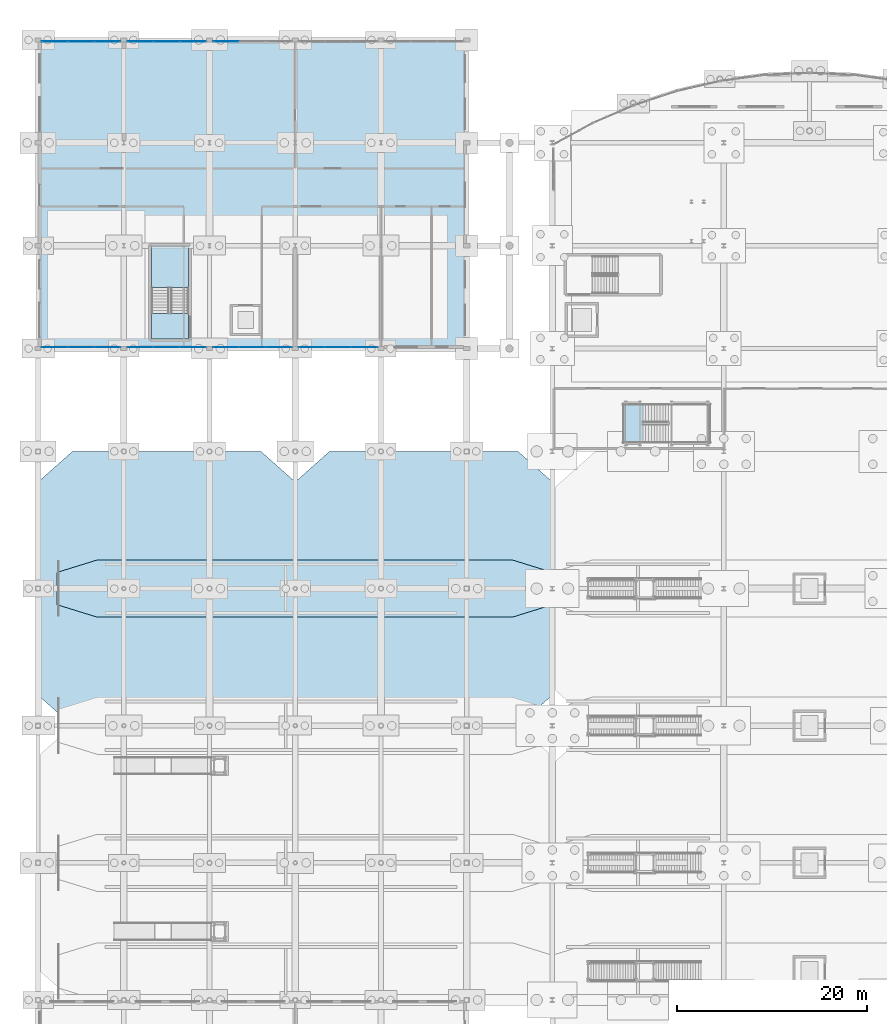
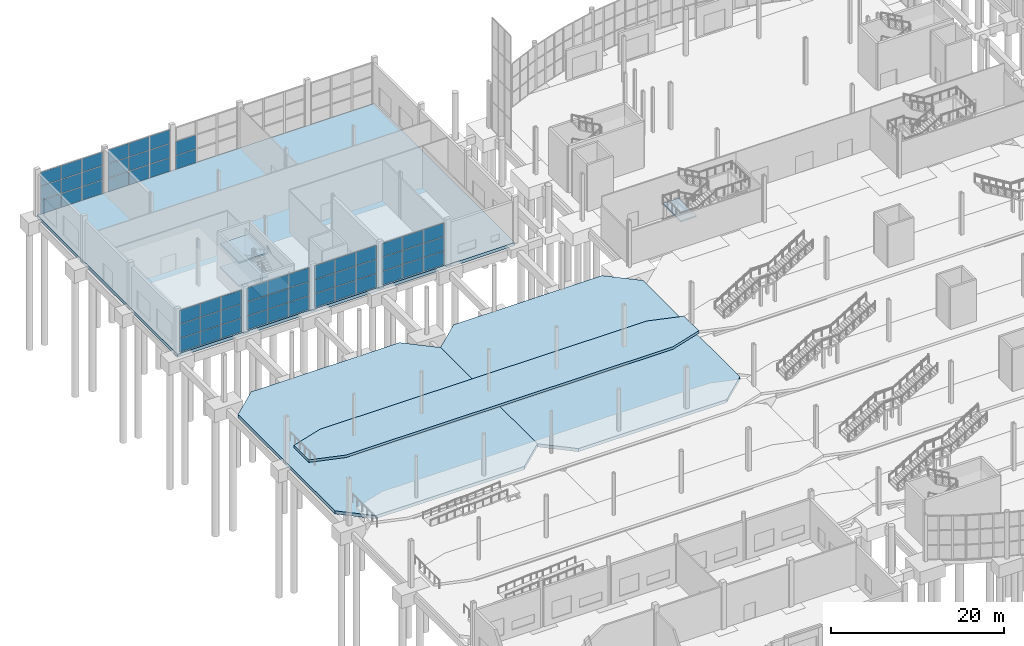
# One storey, part 79 of 115: 56 plates, 8 slabs, 9 elements without a shape of their own.
"""IFC4 building model written with IfcOpenShell, lengths in metres."""

from ifc_helpers import new_model, si_unit, direction, frame, origin, origin_2d, place, context, subcontext, project, spatial, polyline, rectangle, outline, extrude, material, layer, layer_set, type_object, element, aggregate, save


model = new_model("IFC4")

# Units and contexts
model_context = context("Model", 3, precision=1e-05, world=origin(), true_north=direction((0.0, 1.0)))
body_context = subcontext(model_context, "Body", "Model", "MODEL_VIEW")
ifc_project = project(units=[si_unit("LENGTHUNIT", "METRE"), si_unit("AREAUNIT", "SQUARE_METRE"), si_unit("VOLUMEUNIT", "CUBIC_METRE"), si_unit("PLANEANGLEUNIT", "RADIAN"), si_unit("MASSUNIT", "GRAM", prefix="KILO")], contexts=[model_context])

# Site, building, storey
site_placement = place(None, origin())
site = spatial("IfcSite", under=ifc_project, at=site_placement, CompositionType="ELEMENT")
building_placement = place(site_placement, origin())
building = spatial("IfcBuilding", under=site, at=building_placement, Name="Tamarisk Ironworks Central Station", CompositionType="ELEMENT")
storey_placement = place(building_placement, origin())
storey = spatial("IfcBuildingStorey", under=building, at=storey_placement, Name="L00", CompositionType="ELEMENT", Elevation=0.0)

# Curtain wall, plates
ifc_material_1 = material(Name="Anodized aluminium alloy 6063-T6", Category="aluminium")
ifc_layer_1 = layer(ifc_material_1, 0.179931640625)
ifc_layer_set_1 = layer_set([ifc_layer_1], Name="Anodized aluminium alloy 6063-T6")
curtain_wall_type_1 = type_object("IfcCurtainWallType", Name="CW-12", PredefinedType="USERDEFINED", material=ifc_layer_set_1)
curtain_wall_1_placement = place(storey_placement, origin())
curtain_wall_1 = element("IfcCurtainWall", 1, at=curtain_wall_1_placement, inside=storey, type_object=curtain_wall_type_1, Name="Pavilion L00 N glazed arcade 00", ObjectType="GLAZED CURTAIN WALL", PredefinedType="USERDEFINED")
ifc_layer_2 = layer(ifc_material_1, 0.02392578125)
ifc_layer_set_2 = layer_set([ifc_layer_2], Name="Anodized aluminium alloy 6063-T6")
plate_type_1 = type_object("IfcPlateType", Name="PL-CWP24", PredefinedType="CURTAIN_PANEL", material=ifc_layer_set_2)
plate_1_placement = place(storey_placement, frame((1.734130859375, 122.25, 0.069091796875), z_axis=(0.0, 0.0, 1.0), x_axis=(1.0, 0.0, 0.0)))
plate_1 = element("IfcPlate", 2, at=plate_1_placement, type_object=plate_type_1, Name="CW12 panel 1.1", PredefinedType="CURTAIN_PANEL", context=body_context, shape_type="SweptSolid", body=[
    extrude(rectangle(XDim=2.68408203125, YDim=0.02392578125, at=origin_2d()), origin(), (0.0, 0.0, 1.0), 1.90625),
])
plate_2_placement = place(storey_placement, frame((1.734130859375, 122.25, 2.0380859375), z_axis=(0.0, 0.0, 1.0), x_axis=(1.0, 0.0, 0.0)))
plate_2 = element("IfcPlate", 3, at=plate_2_placement, type_object=plate_type_1, Name="CW12 panel 1.2", PredefinedType="CURTAIN_PANEL", context=body_context, shape_type="SweptSolid", body=[
    extrude(rectangle(XDim=2.68408203125, YDim=0.02392578125, at=origin_2d()), origin(), (0.0, 0.0, 1.0), 1.943603515625),
])
plate_3_placement = place(storey_placement, frame((1.734130859375, 122.25, 4.044677734375), z_axis=(0.0, 0.0, 1.0), x_axis=(1.0, 0.0, 0.0)))
plate_3 = element("IfcPlate", 4, at=plate_3_placement, type_object=plate_type_1, Name="CW12 panel 1.3", PredefinedType="CURTAIN_PANEL", context=body_context, shape_type="SweptSolid", body=[
    extrude(rectangle(XDim=2.68408203125, YDim=0.02392578125, at=origin_2d()), origin(), (0.0, 0.0, 1.0), 1.90625),
])
plate_4_placement = place(storey_placement, frame((4.5, 122.25, 0.069091796875), z_axis=(0.0, 0.0, 1.0), x_axis=(1.0, 0.0, 0.0)))
plate_4 = element("IfcPlate", 5, at=plate_4_placement, type_object=plate_type_1, Name="CW12 panel 2.1", PredefinedType="CURTAIN_PANEL", context=body_context, shape_type="SweptSolid", body=[
    extrude(rectangle(XDim=2.7216796875, YDim=0.02392578125, at=origin_2d()), origin(), (0.0, 0.0, 1.0), 1.90625),
])
plate_5_placement = place(storey_placement, frame((4.5, 122.25, 2.0380859375), z_axis=(0.0, 0.0, 1.0), x_axis=(1.0, 0.0, 0.0)))
plate_5 = element("IfcPlate", 6, at=plate_5_placement, type_object=plate_type_1, Name="CW12 panel 2.2", PredefinedType="CURTAIN_PANEL", context=body_context, shape_type="SweptSolid", body=[
    extrude(rectangle(XDim=2.7216796875, YDim=0.02392578125, at=origin_2d()), origin(), (0.0, 0.0, 1.0), 1.943603515625),
])
plate_6_placement = place(storey_placement, frame((4.5, 122.25, 4.044677734375), z_axis=(0.0, 0.0, 1.0), x_axis=(1.0, 0.0, 0.0)))
plate_6 = element("IfcPlate", 7, at=plate_6_placement, type_object=plate_type_1, Name="CW12 panel 2.3", PredefinedType="CURTAIN_PANEL", context=body_context, shape_type="SweptSolid", body=[
    extrude(rectangle(XDim=2.7216796875, YDim=0.02392578125, at=origin_2d()), origin(), (0.0, 0.0, 1.0), 1.90625),
])
plate_7_placement = place(storey_placement, frame((7.265869140625, 122.25, 0.069091796875), z_axis=(0.0, 0.0, 1.0), x_axis=(1.0, 0.0, 0.0)))
plate_7 = element("IfcPlate", 8, at=plate_7_placement, type_object=plate_type_1, Name="CW12 panel 3.1", PredefinedType="CURTAIN_PANEL", context=body_context, shape_type="SweptSolid", body=[
    extrude(rectangle(XDim=2.68408203125, YDim=0.02392578125, at=origin_2d()), origin(), (0.0, 0.0, 1.0), 1.90625),
])
plate_8_placement = place(storey_placement, frame((7.265869140625, 122.25, 2.0380859375), z_axis=(0.0, 0.0, 1.0), x_axis=(1.0, 0.0, 0.0)))
plate_8 = element("IfcPlate", 9, at=plate_8_placement, type_object=plate_type_1, Name="CW12 panel 3.2", PredefinedType="CURTAIN_PANEL", context=body_context, shape_type="SweptSolid", body=[
    extrude(rectangle(XDim=2.68408203125, YDim=0.02392578125, at=origin_2d()), origin(), (0.0, 0.0, 1.0), 1.943603515625),
])
plate_9_placement = place(storey_placement, frame((7.265869140625, 122.25, 4.044677734375), z_axis=(0.0, 0.0, 1.0), x_axis=(1.0, 0.0, 0.0)))
plate_9 = element("IfcPlate", 10, at=plate_9_placement, type_object=plate_type_1, Name="CW12 panel 3.3", PredefinedType="CURTAIN_PANEL", context=body_context, shape_type="SweptSolid", body=[
    extrude(rectangle(XDim=2.68408203125, YDim=0.02392578125, at=origin_2d()), origin(), (0.0, 0.0, 1.0), 1.90625),
])
aggregate(curtain_wall_1, [plate_1, plate_2, plate_3, plate_4, plate_5, plate_6, plate_7, plate_8, plate_9])

curtain_wall_2_placement = place(storey_placement, origin())
curtain_wall_2 = element("IfcCurtainWall", 11, at=curtain_wall_2_placement, inside=storey, type_object=curtain_wall_type_1, Name="Pavilion L00 N glazed arcade 09", ObjectType="GLAZED CURTAIN WALL", PredefinedType="USERDEFINED")
plate_10_placement = place(storey_placement, frame((10.734130859375, 122.25, 0.069091796875), z_axis=(0.0, 0.0, 1.0), x_axis=(1.0, 0.0, 0.0)))
plate_10 = element("IfcPlate", 12, at=plate_10_placement, type_object=plate_type_1, Name="CW12 panel 1.1", PredefinedType="CURTAIN_PANEL", context=body_context, shape_type="SweptSolid", body=[
    extrude(rectangle(XDim=2.68408203125, YDim=0.02392578125, at=origin_2d()), origin(), (0.0, 0.0, 1.0), 1.90625),
])
plate_11_placement = place(storey_placement, frame((10.734130859375, 122.25, 2.0380859375), z_axis=(0.0, 0.0, 1.0), x_axis=(1.0, 0.0, 0.0)))
plate_11 = element("IfcPlate", 13, at=plate_11_placement, type_object=plate_type_1, Name="CW12 panel 1.2", PredefinedType="CURTAIN_PANEL", context=body_context, shape_type="SweptSolid", body=[
    extrude(rectangle(XDim=2.68408203125, YDim=0.02392578125, at=origin_2d()), origin(), (0.0, 0.0, 1.0), 1.943603515625),
])
plate_12_placement = place(storey_placement, frame((10.734130859375, 122.25, 4.044677734375), z_axis=(0.0, 0.0, 1.0), x_axis=(1.0, 0.0, 0.0)))
plate_12 = element("IfcPlate", 14, at=plate_12_placement, type_object=plate_type_1, Name="CW12 panel 1.3", PredefinedType="CURTAIN_PANEL", context=body_context, shape_type="SweptSolid", body=[
    extrude(rectangle(XDim=2.68408203125, YDim=0.02392578125, at=origin_2d()), origin(), (0.0, 0.0, 1.0), 1.90625),
])
plate_13_placement = place(storey_placement, frame((13.5, 122.25, 0.069091796875), z_axis=(0.0, 0.0, 1.0), x_axis=(1.0, 0.0, 0.0)))
plate_13 = element("IfcPlate", 15, at=plate_13_placement, type_object=plate_type_1, Name="CW12 panel 2.1", PredefinedType="CURTAIN_PANEL", context=body_context, shape_type="SweptSolid", body=[
    extrude(rectangle(XDim=2.7216796875, YDim=0.02392578125, at=origin_2d()), origin(), (0.0, 0.0, 1.0), 1.90625),
])
plate_14_placement = place(storey_placement, frame((13.5, 122.25, 2.0380859375), z_axis=(0.0, 0.0, 1.0), x_axis=(1.0, 0.0, 0.0)))
plate_14 = element("IfcPlate", 16, at=plate_14_placement, type_object=plate_type_1, Name="CW12 panel 2.2", PredefinedType="CURTAIN_PANEL", context=body_context, shape_type="SweptSolid", body=[
    extrude(rectangle(XDim=2.7216796875, YDim=0.02392578125, at=origin_2d()), origin(), (0.0, 0.0, 1.0), 1.943603515625),
])
plate_15_placement = place(storey_placement, frame((13.5, 122.25, 4.044677734375), z_axis=(0.0, 0.0, 1.0), x_axis=(1.0, 0.0, 0.0)))
plate_15 = element("IfcPlate", 17, at=plate_15_placement, type_object=plate_type_1, Name="CW12 panel 2.3", PredefinedType="CURTAIN_PANEL", context=body_context, shape_type="SweptSolid", body=[
    extrude(rectangle(XDim=2.7216796875, YDim=0.02392578125, at=origin_2d()), origin(), (0.0, 0.0, 1.0), 1.90625),
])
plate_16_placement = place(storey_placement, frame((16.265869140625, 122.25, 0.069091796875), z_axis=(0.0, 0.0, 1.0), x_axis=(1.0, 0.0, 0.0)))
plate_16 = element("IfcPlate", 18, at=plate_16_placement, type_object=plate_type_1, Name="CW12 panel 3.1", PredefinedType="CURTAIN_PANEL", context=body_context, shape_type="SweptSolid", body=[
    extrude(rectangle(XDim=2.68408203125, YDim=0.02392578125, at=origin_2d()), origin(), (0.0, 0.0, 1.0), 1.90625),
])
plate_17_placement = place(storey_placement, frame((16.265869140625, 122.25, 2.0380859375), z_axis=(0.0, 0.0, 1.0), x_axis=(1.0, 0.0, 0.0)))
plate_17 = element("IfcPlate", 19, at=plate_17_placement, type_object=plate_type_1, Name="CW12 panel 3.2", PredefinedType="CURTAIN_PANEL", context=body_context, shape_type="SweptSolid", body=[
    extrude(rectangle(XDim=2.68408203125, YDim=0.02392578125, at=origin_2d()), origin(), (0.0, 0.0, 1.0), 1.943603515625),
])
plate_18_placement = place(storey_placement, frame((16.265869140625, 122.25, 4.044677734375), z_axis=(0.0, 0.0, 1.0), x_axis=(1.0, 0.0, 0.0)))
plate_18 = element("IfcPlate", 20, at=plate_18_placement, type_object=plate_type_1, Name="CW12 panel 3.3", PredefinedType="CURTAIN_PANEL", context=body_context, shape_type="SweptSolid", body=[
    extrude(rectangle(XDim=2.68408203125, YDim=0.02392578125, at=origin_2d()), origin(), (0.0, 0.0, 1.0), 1.90625),
])
aggregate(curtain_wall_2, [plate_10, plate_11, plate_12, plate_13, plate_14, plate_15, plate_16, plate_17, plate_18])

curtain_wall_3_placement = place(storey_placement, origin())
curtain_wall_3 = element("IfcCurtainWall", 21, at=curtain_wall_3_placement, inside=storey, type_object=curtain_wall_type_1, Name="Pavilion L00 N glazed arcade 18", ObjectType="GLAZED CURTAIN WALL", PredefinedType="USERDEFINED")
plate_19_placement = place(storey_placement, frame((19.734130859375, 122.25, 0.069091796875), z_axis=(0.0, 0.0, 1.0), x_axis=(1.0, 0.0, 0.0)))
plate_19 = element("IfcPlate", 22, at=plate_19_placement, type_object=plate_type_1, Name="CW12 panel 1.1", PredefinedType="CURTAIN_PANEL", context=body_context, shape_type="SweptSolid", body=[
    extrude(rectangle(XDim=2.68408203125, YDim=0.02392578125, at=origin_2d()), origin(), (0.0, 0.0, 1.0), 1.90625),
])
plate_20_placement = place(storey_placement, frame((19.734130859375, 122.25, 2.0380859375), z_axis=(0.0, 0.0, 1.0), x_axis=(1.0, 0.0, 0.0)))
plate_20 = element("IfcPlate", 23, at=plate_20_placement, type_object=plate_type_1, Name="CW12 panel 1.2", PredefinedType="CURTAIN_PANEL", context=body_context, shape_type="SweptSolid", body=[
    extrude(rectangle(XDim=2.68408203125, YDim=0.02392578125, at=origin_2d()), origin(), (0.0, 0.0, 1.0), 1.943603515625),
])
aggregate(curtain_wall_3, [plate_19, plate_20])

ifc_layer_3 = layer(ifc_material_1, 0.179931640625)
ifc_layer_set_3 = layer_set([ifc_layer_3], Name="Anodized aluminium alloy 6063-T6")
curtain_wall_type_2 = type_object("IfcCurtainWallType", Name="CW-09", PredefinedType="USERDEFINED", material=ifc_layer_set_3)
curtain_wall_4_placement = place(storey_placement, origin())
curtain_wall_4 = element("IfcCurtainWall", 24, at=curtain_wall_4_placement, inside=storey, type_object=curtain_wall_type_2, Name="Pavilion L00 S glazed arcade 00", ObjectType="GLAZED CURTAIN WALL", PredefinedType="USERDEFINED")
ifc_material_2 = material(Name="Laminated solar-control low-E glass", Category="glass")
ifc_layer_4 = layer(ifc_material_2, 0.028076171875)
ifc_layer_set_4 = layer_set([ifc_layer_4], Name="Laminated solar-control low-E glass")
plate_type_2 = type_object("IfcPlateType", Name="PL-CWP28", PredefinedType="CURTAIN_PANEL", material=ifc_layer_set_4)
plate_21_placement = place(storey_placement, frame((1.734130859375, 90.14990234375, 0.069091796875), z_axis=(0.0, 0.0, 1.0), x_axis=(1.0, 0.0, 0.0)))
plate_21 = element("IfcPlate", 25, at=plate_21_placement, type_object=plate_type_2, Name="CW09 panel 1.1", PredefinedType="CURTAIN_PANEL", context=body_context, shape_type="SweptSolid", body=[
    extrude(rectangle(XDim=2.68408203125, YDim=0.028076171875, at=origin_2d()), origin(), (0.0, 0.0, 1.0), 1.90625),
])
plate_22_placement = place(storey_placement, frame((1.734130859375, 90.14990234375, 2.0380859375), z_axis=(0.0, 0.0, 1.0), x_axis=(1.0, 0.0, 0.0)))
plate_22 = element("IfcPlate", 26, at=plate_22_placement, type_object=plate_type_2, Name="CW09 panel 1.2", PredefinedType="CURTAIN_PANEL", context=body_context, shape_type="SweptSolid", body=[
    extrude(rectangle(XDim=2.68408203125, YDim=0.028076171875, at=origin_2d()), origin(), (0.0, 0.0, 1.0), 1.943603515625),
])
plate_23_placement = place(storey_placement, frame((1.734130859375, 90.14990234375, 4.044677734375), z_axis=(0.0, 0.0, 1.0), x_axis=(1.0, 0.0, 0.0)))
plate_23 = element("IfcPlate", 27, at=plate_23_placement, type_object=plate_type_2, Name="CW09 panel 1.3", PredefinedType="CURTAIN_PANEL", context=body_context, shape_type="SweptSolid", body=[
    extrude(rectangle(XDim=2.68408203125, YDim=0.028076171875, at=origin_2d()), origin(), (0.0, 0.0, 1.0), 1.90625),
])
plate_24_placement = place(storey_placement, frame((4.5, 90.14990234375, 0.069091796875), z_axis=(0.0, 0.0, 1.0), x_axis=(1.0, 0.0, 0.0)))
plate_24 = element("IfcPlate", 28, at=plate_24_placement, type_object=plate_type_2, Name="CW09 panel 2.1", PredefinedType="CURTAIN_PANEL", context=body_context, shape_type="SweptSolid", body=[
    extrude(rectangle(XDim=2.7216796875, YDim=0.028076171875, at=origin_2d()), origin(), (0.0, 0.0, 1.0), 1.90625),
])
plate_25_placement = place(storey_placement, frame((4.5, 90.14990234375, 2.0380859375), z_axis=(0.0, 0.0, 1.0), x_axis=(1.0, 0.0, 0.0)))
plate_25 = element("IfcPlate", 29, at=plate_25_placement, type_object=plate_type_2, Name="CW09 panel 2.2", PredefinedType="CURTAIN_PANEL", context=body_context, shape_type="SweptSolid", body=[
    extrude(rectangle(XDim=2.7216796875, YDim=0.028076171875, at=origin_2d()), origin(), (0.0, 0.0, 1.0), 1.943603515625),
])
plate_26_placement = place(storey_placement, frame((4.5, 90.14990234375, 4.044677734375), z_axis=(0.0, 0.0, 1.0), x_axis=(1.0, 0.0, 0.0)))
plate_26 = element("IfcPlate", 30, at=plate_26_placement, type_object=plate_type_2, Name="CW09 panel 2.3", PredefinedType="CURTAIN_PANEL", context=body_context, shape_type="SweptSolid", body=[
    extrude(rectangle(XDim=2.7216796875, YDim=0.028076171875, at=origin_2d()), origin(), (0.0, 0.0, 1.0), 1.90625),
])
plate_27_placement = place(storey_placement, frame((7.265869140625, 90.14990234375, 0.069091796875), z_axis=(0.0, 0.0, 1.0), x_axis=(1.0, 0.0, 0.0)))
plate_27 = element("IfcPlate", 31, at=plate_27_placement, type_object=plate_type_2, Name="CW09 panel 3.1", PredefinedType="CURTAIN_PANEL", context=body_context, shape_type="SweptSolid", body=[
    extrude(rectangle(XDim=2.68408203125, YDim=0.028076171875, at=origin_2d()), origin(), (0.0, 0.0, 1.0), 1.90625),
])
plate_28_placement = place(storey_placement, frame((7.265869140625, 90.14990234375, 2.0380859375), z_axis=(0.0, 0.0, 1.0), x_axis=(1.0, 0.0, 0.0)))
plate_28 = element("IfcPlate", 32, at=plate_28_placement, type_object=plate_type_2, Name="CW09 panel 3.2", PredefinedType="CURTAIN_PANEL", context=body_context, shape_type="SweptSolid", body=[
    extrude(rectangle(XDim=2.68408203125, YDim=0.028076171875, at=origin_2d()), origin(), (0.0, 0.0, 1.0), 1.943603515625),
])
plate_29_placement = place(storey_placement, frame((7.265869140625, 90.14990234375, 4.044677734375), z_axis=(0.0, 0.0, 1.0), x_axis=(1.0, 0.0, 0.0)))
plate_29 = element("IfcPlate", 33, at=plate_29_placement, type_object=plate_type_2, Name="CW09 panel 3.3", PredefinedType="CURTAIN_PANEL", context=body_context, shape_type="SweptSolid", body=[
    extrude(rectangle(XDim=2.68408203125, YDim=0.028076171875, at=origin_2d()), origin(), (0.0, 0.0, 1.0), 1.90625),
])
aggregate(curtain_wall_4, [plate_21, plate_22, plate_23, plate_24, plate_25, plate_26, plate_27, plate_28, plate_29])

curtain_wall_5_placement = place(storey_placement, origin())
curtain_wall_5 = element("IfcCurtainWall", 34, at=curtain_wall_5_placement, inside=storey, type_object=curtain_wall_type_2, Name="Pavilion L00 S glazed arcade 09", ObjectType="GLAZED CURTAIN WALL", PredefinedType="USERDEFINED")
plate_30_placement = place(storey_placement, frame((10.734130859375, 90.14990234375, 0.069091796875), z_axis=(0.0, 0.0, 1.0), x_axis=(1.0, 0.0, 0.0)))
plate_30 = element("IfcPlate", 35, at=plate_30_placement, type_object=plate_type_2, Name="CW09 panel 1.1", PredefinedType="CURTAIN_PANEL", context=body_context, shape_type="SweptSolid", body=[
    extrude(rectangle(XDim=2.68408203125, YDim=0.028076171875, at=origin_2d()), origin(), (0.0, 0.0, 1.0), 1.90625),
])
plate_31_placement = place(storey_placement, frame((10.734130859375, 90.14990234375, 2.0380859375), z_axis=(0.0, 0.0, 1.0), x_axis=(1.0, 0.0, 0.0)))
plate_31 = element("IfcPlate", 36, at=plate_31_placement, type_object=plate_type_2, Name="CW09 panel 1.2", PredefinedType="CURTAIN_PANEL", context=body_context, shape_type="SweptSolid", body=[
    extrude(rectangle(XDim=2.68408203125, YDim=0.028076171875, at=origin_2d()), origin(), (0.0, 0.0, 1.0), 1.943603515625),
])
plate_32_placement = place(storey_placement, frame((10.734130859375, 90.14990234375, 4.044677734375), z_axis=(0.0, 0.0, 1.0), x_axis=(1.0, 0.0, 0.0)))
plate_32 = element("IfcPlate", 37, at=plate_32_placement, type_object=plate_type_2, Name="CW09 panel 1.3", PredefinedType="CURTAIN_PANEL", context=body_context, shape_type="SweptSolid", body=[
    extrude(rectangle(XDim=2.68408203125, YDim=0.028076171875, at=origin_2d()), origin(), (0.0, 0.0, 1.0), 1.90625),
])
plate_33_placement = place(storey_placement, frame((13.5, 90.14990234375, 0.069091796875), z_axis=(0.0, 0.0, 1.0), x_axis=(1.0, 0.0, 0.0)))
plate_33 = element("IfcPlate", 38, at=plate_33_placement, type_object=plate_type_2, Name="CW09 panel 2.1", PredefinedType="CURTAIN_PANEL", context=body_context, shape_type="SweptSolid", body=[
    extrude(rectangle(XDim=2.7216796875, YDim=0.028076171875, at=origin_2d()), origin(), (0.0, 0.0, 1.0), 1.90625),
])
plate_34_placement = place(storey_placement, frame((13.5, 90.14990234375, 2.0380859375), z_axis=(0.0, 0.0, 1.0), x_axis=(1.0, 0.0, 0.0)))
plate_34 = element("IfcPlate", 39, at=plate_34_placement, type_object=plate_type_2, Name="CW09 panel 2.2", PredefinedType="CURTAIN_PANEL", context=body_context, shape_type="SweptSolid", body=[
    extrude(rectangle(XDim=2.7216796875, YDim=0.028076171875, at=origin_2d()), origin(), (0.0, 0.0, 1.0), 1.943603515625),
])
plate_35_placement = place(storey_placement, frame((13.5, 90.14990234375, 4.044677734375), z_axis=(0.0, 0.0, 1.0), x_axis=(1.0, 0.0, 0.0)))
plate_35 = element("IfcPlate", 40, at=plate_35_placement, type_object=plate_type_2, Name="CW09 panel 2.3", PredefinedType="CURTAIN_PANEL", context=body_context, shape_type="SweptSolid", body=[
    extrude(rectangle(XDim=2.7216796875, YDim=0.028076171875, at=origin_2d()), origin(), (0.0, 0.0, 1.0), 1.90625),
])
plate_36_placement = place(storey_placement, frame((16.265869140625, 90.14990234375, 0.069091796875), z_axis=(0.0, 0.0, 1.0), x_axis=(1.0, 0.0, 0.0)))
plate_36 = element("IfcPlate", 41, at=plate_36_placement, type_object=plate_type_2, Name="CW09 panel 3.1", PredefinedType="CURTAIN_PANEL", context=body_context, shape_type="SweptSolid", body=[
    extrude(rectangle(XDim=2.68408203125, YDim=0.028076171875, at=origin_2d()), origin(), (0.0, 0.0, 1.0), 1.90625),
])
plate_37_placement = place(storey_placement, frame((16.265869140625, 90.14990234375, 2.0380859375), z_axis=(0.0, 0.0, 1.0), x_axis=(1.0, 0.0, 0.0)))
plate_37 = element("IfcPlate", 42, at=plate_37_placement, type_object=plate_type_2, Name="CW09 panel 3.2", PredefinedType="CURTAIN_PANEL", context=body_context, shape_type="SweptSolid", body=[
    extrude(rectangle(XDim=2.68408203125, YDim=0.028076171875, at=origin_2d()), origin(), (0.0, 0.0, 1.0), 1.943603515625),
])
plate_38_placement = place(storey_placement, frame((16.265869140625, 90.14990234375, 4.044677734375), z_axis=(0.0, 0.0, 1.0), x_axis=(1.0, 0.0, 0.0)))
plate_38 = element("IfcPlate", 43, at=plate_38_placement, type_object=plate_type_2, Name="CW09 panel 3.3", PredefinedType="CURTAIN_PANEL", context=body_context, shape_type="SweptSolid", body=[
    extrude(rectangle(XDim=2.68408203125, YDim=0.028076171875, at=origin_2d()), origin(), (0.0, 0.0, 1.0), 1.90625),
])
aggregate(curtain_wall_5, [plate_30, plate_31, plate_32, plate_33, plate_34, plate_35, plate_36, plate_37, plate_38])

curtain_wall_6_placement = place(storey_placement, origin())
curtain_wall_6 = element("IfcCurtainWall", 44, at=curtain_wall_6_placement, inside=storey, type_object=curtain_wall_type_2, Name="Pavilion L00 S glazed arcade 18", ObjectType="GLAZED CURTAIN WALL", PredefinedType="USERDEFINED")
plate_39_placement = place(storey_placement, frame((19.734130859375, 90.14990234375, 0.069091796875), z_axis=(0.0, 0.0, 1.0), x_axis=(1.0, 0.0, 0.0)))
plate_39 = element("IfcPlate", 45, at=plate_39_placement, type_object=plate_type_2, Name="CW09 panel 1.1", PredefinedType="CURTAIN_PANEL", context=body_context, shape_type="SweptSolid", body=[
    extrude(rectangle(XDim=2.68408203125, YDim=0.028076171875, at=origin_2d()), origin(), (0.0, 0.0, 1.0), 1.90625),
])
plate_40_placement = place(storey_placement, frame((19.734130859375, 90.14990234375, 2.0380859375), z_axis=(0.0, 0.0, 1.0), x_axis=(1.0, 0.0, 0.0)))
plate_40 = element("IfcPlate", 46, at=plate_40_placement, type_object=plate_type_2, Name="CW09 panel 1.2", PredefinedType="CURTAIN_PANEL", context=body_context, shape_type="SweptSolid", body=[
    extrude(rectangle(XDim=2.68408203125, YDim=0.028076171875, at=origin_2d()), origin(), (0.0, 0.0, 1.0), 1.943603515625),
])
plate_41_placement = place(storey_placement, frame((19.734130859375, 90.14990234375, 4.044677734375), z_axis=(0.0, 0.0, 1.0), x_axis=(1.0, 0.0, 0.0)))
plate_41 = element("IfcPlate", 47, at=plate_41_placement, type_object=plate_type_2, Name="CW09 panel 1.3", PredefinedType="CURTAIN_PANEL", context=body_context, shape_type="SweptSolid", body=[
    extrude(rectangle(XDim=2.68408203125, YDim=0.028076171875, at=origin_2d()), origin(), (0.0, 0.0, 1.0), 1.90625),
])
plate_42_placement = place(storey_placement, frame((22.5, 90.14990234375, 0.069091796875), z_axis=(0.0, 0.0, 1.0), x_axis=(1.0, 0.0, 0.0)))
plate_42 = element("IfcPlate", 48, at=plate_42_placement, type_object=plate_type_2, Name="CW09 panel 2.1", PredefinedType="CURTAIN_PANEL", context=body_context, shape_type="SweptSolid", body=[
    extrude(rectangle(XDim=2.7216796875, YDim=0.028076171875, at=origin_2d()), origin(), (0.0, 0.0, 1.0), 1.90625),
])
plate_43_placement = place(storey_placement, frame((22.5, 90.14990234375, 2.0380859375), z_axis=(0.0, 0.0, 1.0), x_axis=(1.0, 0.0, 0.0)))
plate_43 = element("IfcPlate", 49, at=plate_43_placement, type_object=plate_type_2, Name="CW09 panel 2.2", PredefinedType="CURTAIN_PANEL", context=body_context, shape_type="SweptSolid", body=[
    extrude(rectangle(XDim=2.7216796875, YDim=0.028076171875, at=origin_2d()), origin(), (0.0, 0.0, 1.0), 1.943603515625),
])
plate_44_placement = place(storey_placement, frame((22.5, 90.14990234375, 4.044677734375), z_axis=(0.0, 0.0, 1.0), x_axis=(1.0, 0.0, 0.0)))
plate_44 = element("IfcPlate", 50, at=plate_44_placement, type_object=plate_type_2, Name="CW09 panel 2.3", PredefinedType="CURTAIN_PANEL", context=body_context, shape_type="SweptSolid", body=[
    extrude(rectangle(XDim=2.7216796875, YDim=0.028076171875, at=origin_2d()), origin(), (0.0, 0.0, 1.0), 1.90625),
])
plate_45_placement = place(storey_placement, frame((25.265869140625, 90.14990234375, 0.069091796875), z_axis=(0.0, 0.0, 1.0), x_axis=(1.0, 0.0, 0.0)))
plate_45 = element("IfcPlate", 51, at=plate_45_placement, type_object=plate_type_2, Name="CW09 panel 3.1", PredefinedType="CURTAIN_PANEL", context=body_context, shape_type="SweptSolid", body=[
    extrude(rectangle(XDim=2.68408203125, YDim=0.028076171875, at=origin_2d()), origin(), (0.0, 0.0, 1.0), 1.90625),
])
plate_46_placement = place(storey_placement, frame((25.265869140625, 90.14990234375, 2.0380859375), z_axis=(0.0, 0.0, 1.0), x_axis=(1.0, 0.0, 0.0)))
plate_46 = element("IfcPlate", 52, at=plate_46_placement, type_object=plate_type_2, Name="CW09 panel 3.2", PredefinedType="CURTAIN_PANEL", context=body_context, shape_type="SweptSolid", body=[
    extrude(rectangle(XDim=2.68408203125, YDim=0.028076171875, at=origin_2d()), origin(), (0.0, 0.0, 1.0), 1.943603515625),
])
plate_47_placement = place(storey_placement, frame((25.265869140625, 90.14990234375, 4.044677734375), z_axis=(0.0, 0.0, 1.0), x_axis=(1.0, 0.0, 0.0)))
plate_47 = element("IfcPlate", 53, at=plate_47_placement, type_object=plate_type_2, Name="CW09 panel 3.3", PredefinedType="CURTAIN_PANEL", context=body_context, shape_type="SweptSolid", body=[
    extrude(rectangle(XDim=2.68408203125, YDim=0.028076171875, at=origin_2d()), origin(), (0.0, 0.0, 1.0), 1.90625),
])
aggregate(curtain_wall_6, [plate_39, plate_40, plate_41, plate_42, plate_43, plate_44, plate_45, plate_46, plate_47])

curtain_wall_7_placement = place(storey_placement, origin())
curtain_wall_7 = element("IfcCurtainWall", 54, at=curtain_wall_7_placement, inside=storey, type_object=curtain_wall_type_2, Name="Pavilion L00 S glazed arcade 27", ObjectType="GLAZED CURTAIN WALL", PredefinedType="USERDEFINED")
plate_48_placement = place(storey_placement, frame((28.734130859375, 90.14990234375, 0.069091796875), z_axis=(0.0, 0.0, 1.0), x_axis=(1.0, 0.0, 0.0)))
plate_48 = element("IfcPlate", 55, at=plate_48_placement, type_object=plate_type_2, Name="CW09 panel 1.1", PredefinedType="CURTAIN_PANEL", context=body_context, shape_type="SweptSolid", body=[
    extrude(rectangle(XDim=2.68408203125, YDim=0.028076171875, at=origin_2d()), origin(), (0.0, 0.0, 1.0), 1.90625),
])
plate_49_placement = place(storey_placement, frame((28.734130859375, 90.14990234375, 2.0380859375), z_axis=(0.0, 0.0, 1.0), x_axis=(1.0, 0.0, 0.0)))
plate_49 = element("IfcPlate", 56, at=plate_49_placement, type_object=plate_type_2, Name="CW09 panel 1.2", PredefinedType="CURTAIN_PANEL", context=body_context, shape_type="SweptSolid", body=[
    extrude(rectangle(XDim=2.68408203125, YDim=0.028076171875, at=origin_2d()), origin(), (0.0, 0.0, 1.0), 1.943603515625),
])
plate_50_placement = place(storey_placement, frame((28.734130859375, 90.14990234375, 4.044677734375), z_axis=(0.0, 0.0, 1.0), x_axis=(1.0, 0.0, 0.0)))
plate_50 = element("IfcPlate", 57, at=plate_50_placement, type_object=plate_type_2, Name="CW09 panel 1.3", PredefinedType="CURTAIN_PANEL", context=body_context, shape_type="SweptSolid", body=[
    extrude(rectangle(XDim=2.68408203125, YDim=0.028076171875, at=origin_2d()), origin(), (0.0, 0.0, 1.0), 1.90625),
])
plate_51_placement = place(storey_placement, frame((31.5, 90.14990234375, 0.069091796875), z_axis=(0.0, 0.0, 1.0), x_axis=(1.0, 0.0, 0.0)))
plate_51 = element("IfcPlate", 58, at=plate_51_placement, type_object=plate_type_2, Name="CW09 panel 2.1", PredefinedType="CURTAIN_PANEL", context=body_context, shape_type="SweptSolid", body=[
    extrude(rectangle(XDim=2.7216796875, YDim=0.028076171875, at=origin_2d()), origin(), (0.0, 0.0, 1.0), 1.90625),
])
plate_52_placement = place(storey_placement, frame((31.5, 90.14990234375, 2.0380859375), z_axis=(0.0, 0.0, 1.0), x_axis=(1.0, 0.0, 0.0)))
plate_52 = element("IfcPlate", 59, at=plate_52_placement, type_object=plate_type_2, Name="CW09 panel 2.2", PredefinedType="CURTAIN_PANEL", context=body_context, shape_type="SweptSolid", body=[
    extrude(rectangle(XDim=2.7216796875, YDim=0.028076171875, at=origin_2d()), origin(), (0.0, 0.0, 1.0), 1.943603515625),
])
plate_53_placement = place(storey_placement, frame((31.5, 90.14990234375, 4.044677734375), z_axis=(0.0, 0.0, 1.0), x_axis=(1.0, 0.0, 0.0)))
plate_53 = element("IfcPlate", 60, at=plate_53_placement, type_object=plate_type_2, Name="CW09 panel 2.3", PredefinedType="CURTAIN_PANEL", context=body_context, shape_type="SweptSolid", body=[
    extrude(rectangle(XDim=2.7216796875, YDim=0.028076171875, at=origin_2d()), origin(), (0.0, 0.0, 1.0), 1.90625),
])
plate_54_placement = place(storey_placement, frame((34.265869140625, 90.14990234375, 0.069091796875), z_axis=(0.0, 0.0, 1.0), x_axis=(1.0, 0.0, 0.0)))
plate_54 = element("IfcPlate", 61, at=plate_54_placement, type_object=plate_type_2, Name="CW09 panel 3.1", PredefinedType="CURTAIN_PANEL", context=body_context, shape_type="SweptSolid", body=[
    extrude(rectangle(XDim=2.68408203125, YDim=0.028076171875, at=origin_2d()), origin(), (0.0, 0.0, 1.0), 1.90625),
])
plate_55_placement = place(storey_placement, frame((34.265869140625, 90.14990234375, 2.0380859375), z_axis=(0.0, 0.0, 1.0), x_axis=(1.0, 0.0, 0.0)))
plate_55 = element("IfcPlate", 62, at=plate_55_placement, type_object=plate_type_2, Name="CW09 panel 3.2", PredefinedType="CURTAIN_PANEL", context=body_context, shape_type="SweptSolid", body=[
    extrude(rectangle(XDim=2.68408203125, YDim=0.028076171875, at=origin_2d()), origin(), (0.0, 0.0, 1.0), 1.943603515625),
])
plate_56_placement = place(storey_placement, frame((34.265869140625, 90.14990234375, 4.044677734375), z_axis=(0.0, 0.0, 1.0), x_axis=(1.0, 0.0, 0.0)))
plate_56 = element("IfcPlate", 63, at=plate_56_placement, type_object=plate_type_2, Name="CW09 panel 3.3", PredefinedType="CURTAIN_PANEL", context=body_context, shape_type="SweptSolid", body=[
    extrude(rectangle(XDim=2.68408203125, YDim=0.028076171875, at=origin_2d()), origin(), (0.0, 0.0, 1.0), 1.90625),
])
aggregate(curtain_wall_7, [plate_48, plate_49, plate_50, plate_51, plate_52, plate_53, plate_54, plate_55, plate_56])

# Slabs
ifc_material_3 = material(Name="Concrete C40/50", Category="concrete")
ifc_layer_5 = layer(ifc_material_3, 0.449951171875)
ifc_layer_set_5 = layer_set([ifc_layer_5], Name="Concrete C40/50")
slab_type_1 = type_object("IfcSlabType", Name="SL-BS450", PredefinedType="BASESLAB", material=ifc_layer_set_5)
slab_1_placement = place(storey_placement, frame((0.0, 0.0, -0.449951171875)))
element("IfcSlab", 64, at=slab_1_placement, inside=storey, type_object=slab_type_1, Name="L00 Train Shed Structural Base Slab W3", PredefinedType="BASESLAB", context=body_context, shape_type="SweptSolid", body=[
    extrude(outline(polyline([(3.60009765625, 50.39990234375), (23.39990234375, 50.39990234375), (27.0, 53.60009765625), (27.0, 76.0), (23.39990234375, 79.199951171875), (3.60009765625, 79.199951171875), (0.0, 76.0), (0.0, 53.60009765625), (3.60009765625, 50.39990234375)])), origin(), (0.0, 0.0, 1.0), 0.449951171875),
])
slab_2_placement = place(storey_placement, frame((0.0, 0.0, -0.449951171875)))
element("IfcSlab", 65, at=slab_2_placement, inside=storey, type_object=slab_type_1, Name="L00 Train Shed Structural Base Slab W4", PredefinedType="BASESLAB", context=body_context, shape_type="SweptSolid", body=[
    extrude(outline(polyline([(30.60009765625, 50.39990234375), (50.39990234375, 50.39990234375), (54.0, 53.60009765625), (54.0, 76.0), (50.39990234375, 79.199951171875), (30.60009765625, 79.199951171875), (27.0, 76.0), (27.0, 53.60009765625), (30.60009765625, 50.39990234375)])), origin(), (0.0, 0.0, 1.0), 0.449951171875),
])
slab_3_placement = place(storey_placement, frame((0.0, 0.0, -0.449951171875)))
element("IfcSlab", 66, at=slab_3_placement, inside=storey, type_object=slab_type_1, Name="L00 Ground Floor Structural Slab V4-W", PredefinedType="BASESLAB", context=body_context, shape_type="SweptSolid", body=[
    extrude(outline(polyline([(0.0, 90.0), (45.0, 90.0), (45.0, 122.39990234375), (0.0, 122.39990234375), (0.0, 90.0)])), origin(), (0.0, 0.0, 1.0), 0.449951171875),
])

# Stair, slab
ifc_material_4 = material(Name="Concrete C35/45", Category="concrete")
stair_type_1 = type_object("IfcStairType", Name="ST-HALL", PredefinedType="HALF_TURN_STAIR", material=ifc_material_4)
stair_1_placement = place(storey_placement, origin())
stair_1 = element("IfcStair", 67, at=stair_1_placement, inside=storey, type_object=stair_type_1, Name="L00 West Ticket Hall Grand Stair", PredefinedType="HALF_TURN_STAIR")
ifc_layer_6 = layer(ifc_material_4, 0.179931640625)
ifc_layer_set_6 = layer_set([ifc_layer_6], Name="Concrete C35/45")
slab_type_2 = type_object("IfcSlabType", Name="SL-LD180", PredefinedType="LANDING", material=ifc_layer_set_6)
slab_4_placement = place(storey_placement, frame((0.0, 0.0, 3.10009765625)))
slab_4 = element("IfcSlab", 68, at=slab_4_placement, type_object=slab_type_2, Name="ST-TH1 landing 2", PredefinedType="LANDING", context=body_context, shape_type="SweptSolid", body=[
    extrude(outline(polyline([(61.39990234375, 80.10009765625), (63.5, 80.10009765625), (63.5, 84.199951171875), (61.39990234375, 84.199951171875), (61.39990234375, 80.10009765625)])), origin(), (0.0, 0.0, 1.0), 0.199951171875),
])
aggregate(stair_1, [slab_4])

# Stair, slabs
stair_type_2 = type_object("IfcStairType", Name="ST-CORE-C", PredefinedType="HALF_TURN_STAIR", material=ifc_material_4)
stair_2_placement = place(storey_placement, origin())
stair_2 = element("IfcStair", 69, at=stair_2_placement, inside=storey, type_object=stair_type_2, Name="L00 Retail Pavilion Exit Stair Core 6", PredefinedType="HALF_TURN_STAIR")
ifc_layer_7 = layer(ifc_material_4, 0.215087890625)
ifc_layer_set_7 = layer_set([ifc_layer_7], Name="Concrete C35/45")
slab_type_3 = type_object("IfcSlabType", Name="SL-LD220", PredefinedType="LANDING", material=ifc_layer_set_7)
slab_5_placement = place(storey_placement, frame((0.0, 0.0, 1.449951171875)))
slab_5 = element("IfcSlab", 70, at=slab_5_placement, type_object=slab_type_3, Name="ST-C6 landing 1", PredefinedType="LANDING", context=body_context, shape_type="SweptSolid", body=[
    extrude(outline(polyline([(15.800048828125, 96.39990234375), (15.800048828125, 100.75), (11.89990234375, 100.75), (11.89990234375, 96.39990234375), (15.800048828125, 96.39990234375)])), origin(), (0.0, 0.0, 1.0), 0.199951171875),
])
slab_6_placement = place(storey_placement, frame((0.0, 0.0, 3.10009765625)))
slab_6 = element("IfcSlab", 71, at=slab_6_placement, type_object=slab_type_3, Name="ST-C6 landing 2", PredefinedType="LANDING", context=body_context, shape_type="SweptSolid", body=[
    extrude(outline(polyline([(15.800048828125, 91.0), (15.800048828125, 93.699951171875), (11.89990234375, 93.699951171875), (11.89990234375, 91.0), (15.800048828125, 91.0)])), origin(), (0.0, 0.0, 1.0), 0.199951171875),
])
slab_7_placement = place(storey_placement, frame((0.0, 0.0, 4.75)))
slab_7 = element("IfcSlab", 72, at=slab_7_placement, type_object=slab_type_3, Name="ST-C6 landing 3", PredefinedType="LANDING", context=body_context, shape_type="SweptSolid", body=[
    extrude(outline(polyline([(15.800048828125, 96.39990234375), (15.800048828125, 100.75), (11.89990234375, 100.75), (11.89990234375, 96.39990234375), (15.800048828125, 96.39990234375)])), origin(), (0.0, 0.0, 1.0), 0.199951171875),
])
aggregate(stair_2, [slab_5, slab_6, slab_7])

# Slab
ifc_material_5 = material(Name="Precast concrete C45/55", Category="concrete")
ifc_layer_8 = layer(ifc_material_5, 0.35009765625)
ifc_layer_set_8 = layer_set([ifc_layer_8], Name="Precast concrete C45/55")
slab_type_4 = type_object("IfcSlabType", Name="SL-PL350", PredefinedType="FLOOR", material=ifc_layer_set_8)
slab_8_placement = place(storey_placement, frame((0.0, 0.0, 0.3701171875)))
element("IfcSlab", 73, at=slab_8_placement, inside=storey, type_object=slab_type_4, Name="L00 Platform 4 Raised Boarding Deck W", PredefinedType="FLOOR", context=body_context, shape_type="SweptSolid", body=[
    extrude(outline(polyline([(6.199951171875, 61.800048828125), (49.800048828125, 61.800048828125), (54.0, 63.10009765625), (54.0, 66.5), (49.800048828125, 67.800048828125), (6.199951171875, 67.800048828125), (2.0, 66.5), (2.0, 63.10009765625), (6.199951171875, 61.800048828125)])), origin(), (0.0, 0.0, 1.0), 0.349853515625),
])

save(model, "model.ifc")
